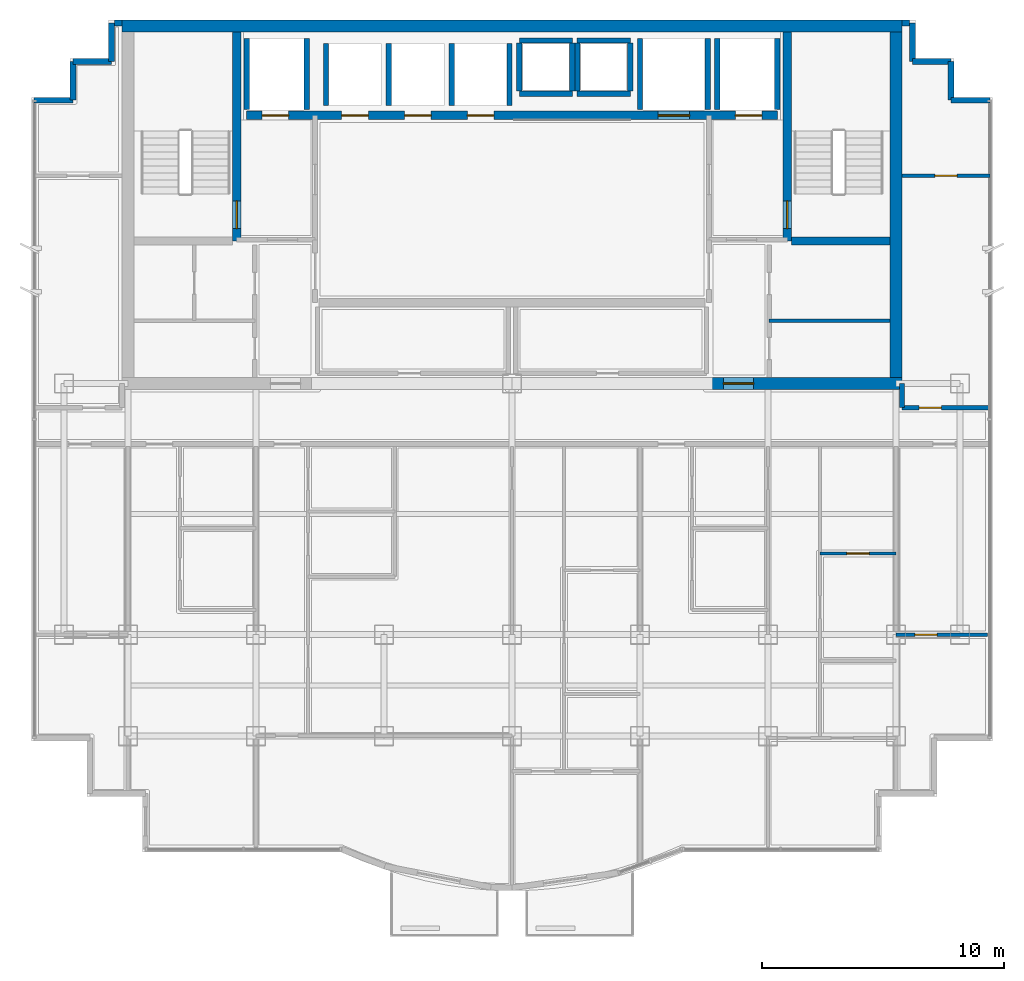
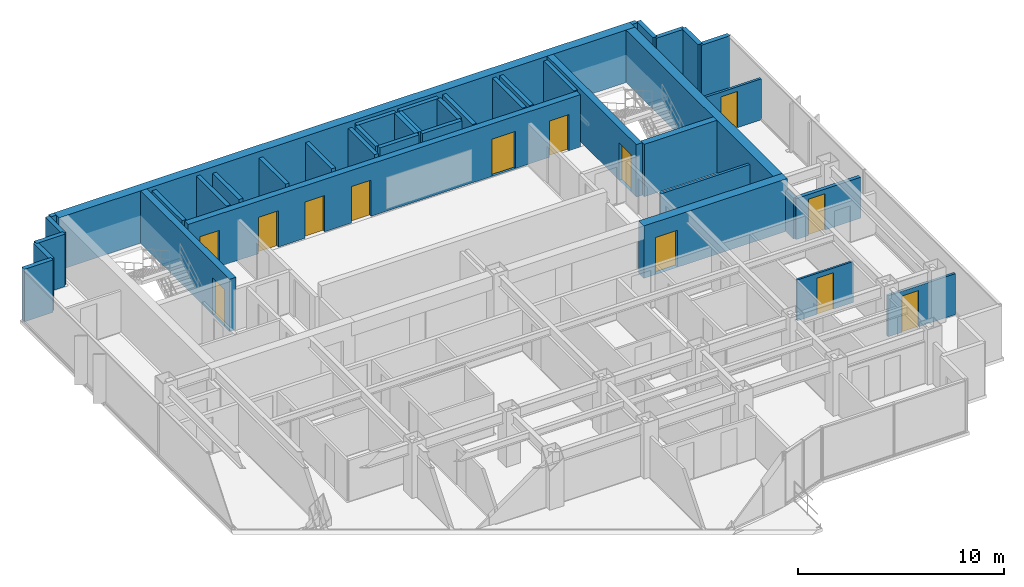
# One storey, part 9 of 12: 41 walls, 13 doors, 13 openings.
"""IFC4 building model written with IfcOpenShell, lengths in metres."""

from ifc_helpers import new_model, si_unit, direction, frame, frame_2d, origin, place, context, subcontext, project, spatial, rectangle, extrude, material, layer, layer_set, type_object, element, fill, save


model = new_model("IFC4")

# Units and contexts
model_context = context("Model", 3, precision=1e-05, world=origin(), true_north=direction((0.0, 1.0)))
body_context = subcontext(model_context, "Body", "Model", "MODEL_VIEW")
ifc_project = project(units=[si_unit("LENGTHUNIT", "METRE"), si_unit("AREAUNIT", "SQUARE_METRE"), si_unit("VOLUMEUNIT", "CUBIC_METRE"), si_unit("PLANEANGLEUNIT", "RADIAN"), si_unit("MASSUNIT", "GRAM", prefix="KILO")], contexts=[model_context])

# Site, building, storey
site_placement = place(None, origin())
site = spatial("IfcSite", under=ifc_project, at=site_placement, CompositionType="ELEMENT")
building_placement = place(site_placement, origin())
building = spatial("IfcBuilding", under=site, at=building_placement, Name="Qianlan Lanfeng Residences", CompositionType="ELEMENT")
storey_placement = place(building_placement, frame((0.0, 0.0, 200.0)))
storey = spatial("IfcBuildingStorey", under=building, at=storey_placement, Name="L54", CompositionType="ELEMENT", Elevation=200.0)

# Wall, opening, door
ifc_material_1 = material(Name="Concrete C49", Category="concrete")
ifc_layer_1 = layer(ifc_material_1, 0.35009765625)
ifc_layer_set_1 = layer_set([ifc_layer_1], Name="Concrete C49")
wall_type_1 = type_object("IfcWallType", Name="CW-RC-350", PredefinedType="SHEAR", material=ifc_layer_set_1)
wall_1_placement = place(storey_placement, frame((15.10009765625, 31.10009765625, 0.0), z_axis=(0.0, 0.0, 1.0), x_axis=(0.0, 1.0, 0.0)))
wall_1 = element("IfcWall", 1, at=wall_1_placement, inside=storey, type_object=wall_type_1, Name="L54 Core Shear Wall ST1E", PredefinedType="SHEAR", context=body_context, shape_type="SweptSolid", body=[
    extrude(rectangle(XDim=8.64990234375, YDim=0.35009765625, at=frame_2d((4.324951171875, 0.0))), origin(), (0.0, 0.0, 1.0), 3.110107421875),
])
opening_1_placement = place(wall_1_placement, frame((0.510009765625, 0.0, 0.0)))
opening_1 = element("IfcOpeningElement", 2, at=opening_1_placement, cuts=wall_1, Name="Opening L54-D07", PredefinedType="OPENING", context=body_context, shape_type="SweptSolid", body=[
    extrude(rectangle(XDim=1.14990234375, YDim=2.199951171875, at=frame_2d((0.574951171875, 1.10009765625))), frame((0.0, 0.18505859375, 0.0), z_axis=(0.0, -1.0, 0.0), x_axis=(1.0, 0.0, 0.0)), (0.0, 0.0, 1.0), 0.3701171875),
])
ifc_material_2 = material(Name="Painted Galvanised Steel Fire Door", Category="steel")
door_type_1 = type_object("IfcDoorType", Name="DT-ST1", OperationType="NOTDEFINED", PredefinedType="DOOR", material=ifc_material_2)
door_1_placement = place(opening_1_placement, frame((1.14990234375, 0.0, 0.0), z_axis=(0.0, 0.0, 1.0), x_axis=(-1.0, 0.0, 0.0)))
door_1 = element("IfcDoor", 3, at=door_1_placement, inside=storey, type_object=door_type_1, Name="L54 Exit Stair ST-1 Door L54-D07 (DT-ST1)", OperationType="SINGLE_SWING_RIGHT", OverallHeight=2.199951171875, OverallWidth=1.14990234375, PredefinedType="DOOR", context=body_context, shape_type="SweptSolid", body=[
    extrude(rectangle(XDim=1.14990234375, YDim=2.199951171875, at=frame_2d((0.574951171875, 1.10009765625))), frame((0.0, 0.02490234375, 0.0), z_axis=(0.0, -1.0, 0.0), x_axis=(1.0, 0.0, 0.0)), (0.0, 0.0, 1.0), 0.050048828125),
])
fill(opening_1, door_1)

wall_2_placement = place(storey_placement, frame((37.89990234375, 31.10009765625, 0.0), z_axis=(0.0, 0.0, 1.0), x_axis=(0.0, 1.0, 0.0)))
wall_2 = element("IfcWall", 4, at=wall_2_placement, inside=storey, type_object=wall_type_1, Name="L54 Core Shear Wall ST2W", PredefinedType="SHEAR", context=body_context, shape_type="SweptSolid", body=[
    extrude(rectangle(XDim=8.64990234375, YDim=0.35009765625, at=frame_2d((4.324951171875, 0.0))), origin(), (0.0, 0.0, 1.0), 3.110107421875),
])
opening_2_placement = place(wall_2_placement, frame((0.510009765625, 0.0, 0.0)))
opening_2 = element("IfcOpeningElement", 5, at=opening_2_placement, cuts=wall_2, Name="Opening L54-D08", PredefinedType="OPENING", context=body_context, shape_type="SweptSolid", body=[
    extrude(rectangle(XDim=1.14990234375, YDim=2.199951171875, at=frame_2d((0.574951171875, 1.10009765625))), frame((0.0, 0.18505859375, 0.0), z_axis=(0.0, -1.0, 0.0), x_axis=(1.0, 0.0, 0.0)), (0.0, 0.0, 1.0), 0.3701171875),
])
door_2_placement = place(opening_2_placement, origin())
door_2 = element("IfcDoor", 6, at=door_2_placement, inside=storey, type_object=door_type_1, Name="L54 Exit Stair ST-2 Door L54-D08 (DT-ST1)", OperationType="SINGLE_SWING_RIGHT", OverallHeight=2.199951171875, OverallWidth=1.14990234375, PredefinedType="DOOR", context=body_context, shape_type="SweptSolid", body=[
    extrude(rectangle(XDim=1.14990234375, YDim=2.199951171875, at=frame_2d((0.574951171875, 1.10009765625))), frame((0.0, 0.02490234375, 0.0), z_axis=(0.0, -1.0, 0.0), x_axis=(1.0, 0.0, 0.0)), (0.0, 0.0, 1.0), 0.050048828125),
])
fill(opening_2, door_2)

# Wall
wall_3_placement = place(storey_placement, frame((38.074951171875, 31.10009765625, 0.0), z_axis=(0.0, 0.0, 1.0), x_axis=(1.0, 0.0, 0.0)))
element("IfcWall", 7, at=wall_3_placement, inside=storey, type_object=wall_type_1, Name="L54 Core Shear Wall ST2S", PredefinedType="SHEAR", context=body_context, shape_type="SweptSolid", body=[
    extrude(rectangle(XDim=4.074951171875, YDim=0.35009765625, at=frame_2d((2.03759765625, 0.0))), origin(), (0.0, 0.0, 1.0), 3.110107421875),
])

# Wall, openings, doors
wall_4_placement = place(storey_placement, frame((15.5, 36.300048828125, 0.0), z_axis=(0.0, 0.0, 1.0), x_axis=(1.0, 0.0, 0.0)))
wall_4 = element("IfcWall", 8, at=wall_4_placement, inside=storey, type_object=wall_type_1, Name="L54 Core Shear Wall LBN", PredefinedType="SHEAR", context=body_context, shape_type="SweptSolid", body=[
    extrude(rectangle(XDim=22.0, YDim=0.35009765625, at=frame_2d((11.0, 0.0))), origin(), (0.0, 0.0, 1.0), 3.110107421875),
])
opening_3_placement = place(wall_4_placement, frame((0.64990234375, 0.0, 0.0)))
opening_3 = element("IfcOpeningElement", 9, at=opening_3_placement, cuts=wall_4, Name="Opening L54-LD-FFL-1", PredefinedType="OPENING", context=body_context, shape_type="SweptSolid", body=[
    extrude(rectangle(XDim=1.10009765625, YDim=2.14990234375, at=frame_2d((0.550048828125, 1.074951171875))), frame((0.0, 0.18505859375, 0.0), z_axis=(0.0, -1.0, 0.0), x_axis=(1.0, 0.0, 0.0)), (0.0, 0.0, 1.0), 0.3701171875),
])
opening_4_placement = place(wall_4_placement, frame((20.25, 0.0, 0.0)))
opening_4 = element("IfcOpeningElement", 10, at=opening_4_placement, cuts=wall_4, Name="Opening L54-LD-FFL-2", PredefinedType="OPENING", context=body_context, shape_type="SweptSolid", body=[
    extrude(rectangle(XDim=1.10009765625, YDim=2.14990234375, at=frame_2d((0.550048828125, 1.074951171875))), frame((0.0, 0.18505859375, 0.0), z_axis=(0.0, -1.0, 0.0), x_axis=(1.0, 0.0, 0.0)), (0.0, 0.0, 1.0), 0.3701171875),
])
opening_5_placement = place(wall_4_placement, frame((17.050048828125, 0.0, 0.0)))
opening_5 = element("IfcOpeningElement", 11, at=opening_5_placement, cuts=wall_4, Name="Opening L54-LD-SVL-1", PredefinedType="OPENING", context=body_context, shape_type="SweptSolid", body=[
    extrude(rectangle(XDim=1.300048828125, YDim=2.199951171875, at=frame_2d((0.64990234375, 1.10009765625))), frame((0.0, 0.18505859375, 0.0), z_axis=(0.0, -1.0, 0.0), x_axis=(1.0, 0.0, 0.0)), (0.0, 0.0, 1.0), 0.3701171875),
])
opening_6_placement = place(wall_4_placement, frame((3.949951171875, 0.0, 0.0)))
opening_6 = element("IfcOpeningElement", 12, at=opening_6_placement, cuts=wall_4, Name="Opening L54-LD-PL-H1", PredefinedType="OPENING", context=body_context, shape_type="SweptSolid", body=[
    extrude(rectangle(XDim=1.10009765625, YDim=2.14990234375, at=frame_2d((0.550048828125, 1.074951171875))), frame((0.0, 0.18505859375, 0.0), z_axis=(0.0, -1.0, 0.0), x_axis=(1.0, 0.0, 0.0)), (0.0, 0.0, 1.0), 0.3701171875),
])
opening_7_placement = place(wall_4_placement, frame((6.550048828125, 0.0, 0.0)))
opening_7 = element("IfcOpeningElement", 13, at=opening_7_placement, cuts=wall_4, Name="Opening L54-LD-PL-H2", PredefinedType="OPENING", context=body_context, shape_type="SweptSolid", body=[
    extrude(rectangle(XDim=1.10009765625, YDim=2.14990234375, at=frame_2d((0.550048828125, 1.074951171875))), frame((0.0, 0.18505859375, 0.0), z_axis=(0.0, -1.0, 0.0), x_axis=(1.0, 0.0, 0.0)), (0.0, 0.0, 1.0), 0.3701171875),
])
opening_8_placement = place(wall_4_placement, frame((9.14990234375, 0.0, 0.0)))
opening_8 = element("IfcOpeningElement", 14, at=opening_8_placement, cuts=wall_4, Name="Opening L54-LD-PL-H3", PredefinedType="OPENING", context=body_context, shape_type="SweptSolid", body=[
    extrude(rectangle(XDim=1.10009765625, YDim=2.14990234375, at=frame_2d((0.550048828125, 1.074951171875))), frame((0.0, 0.18505859375, 0.0), z_axis=(0.0, -1.0, 0.0), x_axis=(1.0, 0.0, 0.0)), (0.0, 0.0, 1.0), 0.3701171875),
])
ifc_material_3 = material(Name="Brushed Stainless Steel Sliding Lift Door", Category="steel")
door_type_2 = type_object("IfcDoorType", Name="LD-01", OperationType="NOTDEFINED", PredefinedType="DOOR", material=ifc_material_3)
door_3_placement = place(opening_3_placement, frame((1.10009765625, 0.0, 0.0), z_axis=(0.0, 0.0, 1.0), x_axis=(-1.0, 0.0, 0.0)))
door_3 = element("IfcDoor", 15, at=door_3_placement, inside=storey, type_object=door_type_2, Name="L54 Elevator FFL-1 Sliding Landing Door", OperationType="DOUBLE_DOOR_SLIDING", OverallHeight=2.14990234375, OverallWidth=1.10009765625, PredefinedType="DOOR", context=body_context, shape_type="SweptSolid", body=[
    extrude(rectangle(XDim=1.10009765625, YDim=2.14990234375, at=frame_2d((0.550048828125, 1.074951171875))), frame((0.0, 0.02490234375, 0.0), z_axis=(0.0, -1.0, 0.0), x_axis=(1.0, 0.0, 0.0)), (0.0, 0.0, 1.0), 0.050048828125),
])
fill(opening_3, door_3)
door_4_placement = place(opening_4_placement, frame((1.10009765625, 0.0, 0.0), z_axis=(0.0, 0.0, 1.0), x_axis=(-1.0, 0.0, 0.0)))
door_4 = element("IfcDoor", 16, at=door_4_placement, inside=storey, type_object=door_type_2, Name="L54 Elevator FFL-2 Sliding Landing Door", OperationType="DOUBLE_DOOR_SLIDING", OverallHeight=2.14990234375, OverallWidth=1.10009765625, PredefinedType="DOOR", context=body_context, shape_type="SweptSolid", body=[
    extrude(rectangle(XDim=1.10009765625, YDim=2.14990234375, at=frame_2d((0.550048828125, 1.074951171875))), frame((0.0, 0.02490234375, 0.0), z_axis=(0.0, -1.0, 0.0), x_axis=(1.0, 0.0, 0.0)), (0.0, 0.0, 1.0), 0.050048828125),
])
fill(opening_4, door_4)
door_5_placement = place(opening_6_placement, frame((1.10009765625, 0.0, 0.0), z_axis=(0.0, 0.0, 1.0), x_axis=(-1.0, 0.0, 0.0)))
door_5 = element("IfcDoor", 17, at=door_5_placement, inside=storey, type_object=door_type_2, Name="L54 Elevator PL-H1 Sliding Landing Door", OperationType="DOUBLE_DOOR_SLIDING", OverallHeight=2.14990234375, OverallWidth=1.10009765625, PredefinedType="DOOR", context=body_context, shape_type="SweptSolid", body=[
    extrude(rectangle(XDim=1.10009765625, YDim=2.14990234375, at=frame_2d((0.550048828125, 1.074951171875))), frame((0.0, 0.02490234375, 0.0), z_axis=(0.0, -1.0, 0.0), x_axis=(1.0, 0.0, 0.0)), (0.0, 0.0, 1.0), 0.050048828125),
])
fill(opening_6, door_5)
door_6_placement = place(opening_7_placement, frame((1.10009765625, 0.0, 0.0), z_axis=(0.0, 0.0, 1.0), x_axis=(-1.0, 0.0, 0.0)))
door_6 = element("IfcDoor", 18, at=door_6_placement, inside=storey, type_object=door_type_2, Name="L54 Elevator PL-H2 Sliding Landing Door", OperationType="DOUBLE_DOOR_SLIDING", OverallHeight=2.14990234375, OverallWidth=1.10009765625, PredefinedType="DOOR", context=body_context, shape_type="SweptSolid", body=[
    extrude(rectangle(XDim=1.10009765625, YDim=2.14990234375, at=frame_2d((0.550048828125, 1.074951171875))), frame((0.0, 0.02490234375, 0.0), z_axis=(0.0, -1.0, 0.0), x_axis=(1.0, 0.0, 0.0)), (0.0, 0.0, 1.0), 0.050048828125),
])
fill(opening_7, door_6)
door_7_placement = place(opening_8_placement, frame((1.10009765625, 0.0, 0.0), z_axis=(0.0, 0.0, 1.0), x_axis=(-1.0, 0.0, 0.0)))
door_7 = element("IfcDoor", 19, at=door_7_placement, inside=storey, type_object=door_type_2, Name="L54 Elevator PL-H3 Sliding Landing Door", OperationType="DOUBLE_DOOR_SLIDING", OverallHeight=2.14990234375, OverallWidth=1.10009765625, PredefinedType="DOOR", context=body_context, shape_type="SweptSolid", body=[
    extrude(rectangle(XDim=1.10009765625, YDim=2.14990234375, at=frame_2d((0.550048828125, 1.074951171875))), frame((0.0, 0.02490234375, 0.0), z_axis=(0.0, -1.0, 0.0), x_axis=(1.0, 0.0, 0.0)), (0.0, 0.0, 1.0), 0.050048828125),
])
fill(opening_8, door_7)
door_type_3 = type_object("IfcDoorType", Name="LD-02", OperationType="NOTDEFINED", PredefinedType="DOOR", material=ifc_material_3)
door_8_placement = place(opening_5_placement, frame((1.300048828125, 0.0, 0.0), z_axis=(0.0, 0.0, 1.0), x_axis=(-1.0, 0.0, 0.0)))
door_8 = element("IfcDoor", 20, at=door_8_placement, inside=storey, type_object=door_type_3, Name="L54 Elevator SVL-1 Sliding Landing Door", OperationType="DOUBLE_DOOR_SLIDING", OverallHeight=2.199951171875, OverallWidth=1.300048828125, PredefinedType="DOOR", context=body_context, shape_type="SweptSolid", body=[
    extrude(rectangle(XDim=1.300048828125, YDim=2.199951171875, at=frame_2d((0.64990234375, 1.10009765625))), frame((0.0, 0.02490234375, 0.0), z_axis=(0.0, -1.0, 0.0), x_axis=(1.0, 0.0, 0.0)), (0.0, 0.0, 1.0), 0.050048828125),
])
fill(opening_5, door_8)

# Walls
ifc_material_4 = material(Name="Concrete C70", Category="concrete")
ifc_layer_2 = layer(ifc_material_4, 0.5)
ifc_layer_set_2 = layer_set([ifc_layer_2], Name="Concrete C70")
wall_type_2 = type_object("IfcWallType", Name="CW-RC-500", PredefinedType="SHEAR", material=ifc_layer_set_2)
wall_5_placement = place(storey_placement, frame((10.35009765625, 40.0, 0.0), z_axis=(0.0, 0.0, 1.0), x_axis=(1.0, 0.0, 0.0)))
element("IfcWall", 21, at=wall_5_placement, inside=storey, type_object=wall_type_2, Name="L54 Core Shear Wall N", PredefinedType="SHEAR", context=body_context, shape_type="SweptSolid", body=[
    extrude(rectangle(XDim=32.2998046875, YDim=0.5, at=frame_2d((16.14990234375, 0.0))), origin(), (0.0, 0.0, 1.0), 3.110107421875),
])
wall_6_placement = place(storey_placement, frame((42.39990234375, 25.449951171875, 0.0), z_axis=(0.0, 0.0, 1.0), x_axis=(0.0, 1.0, 0.0)))
element("IfcWall", 22, at=wall_6_placement, inside=storey, type_object=wall_type_2, Name="L54 Core Shear Wall E", PredefinedType="SHEAR", context=body_context, shape_type="SweptSolid", body=[
    extrude(rectangle(XDim=14.300048828125, YDim=0.5, at=frame_2d((7.14990234375, 0.0))), origin(), (0.0, 0.0, 1.0), 3.110107421875),
])

# Wall, opening, door
wall_7_placement = place(storey_placement, frame((34.60009765625, 25.199951171875, 0.0), z_axis=(0.0, 0.0, 1.0), x_axis=(1.0, 0.0, 0.0)))
wall_7 = element("IfcWall", 23, at=wall_7_placement, inside=storey, type_object=wall_type_2, Name="L54 Core Shear Wall SE", PredefinedType="SHEAR", context=body_context, shape_type="SweptSolid", body=[
    extrude(rectangle(XDim=8.0498046875, YDim=0.5, at=frame_2d((4.02490234375, 0.0))), origin(), (0.0, 0.0, 1.0), 3.110107421875),
])
opening_9_placement = place(wall_7_placement, frame((0.64990234375, 0.0, 0.0)))
opening_9 = element("IfcOpeningElement", 24, at=opening_9_placement, cuts=wall_7, Name="Opening L54-D02", PredefinedType="OPENING", context=body_context, shape_type="SweptSolid", body=[
    extrude(rectangle(XDim=1.25, YDim=2.199951171875, at=frame_2d((0.625, 1.10009765625))), frame((0.0, 0.260009765625, 0.0), z_axis=(0.0, -1.0, 0.0), x_axis=(1.0, 0.0, 0.0)), (0.0, 0.0, 1.0), 0.52001953125),
])
door_type_4 = type_object("IfcDoorType", Name="DT-FFL", OperationType="NOTDEFINED", PredefinedType="DOOR", material=ifc_material_2)
door_9_placement = place(opening_9_placement, frame((1.25, 0.0, 0.0), z_axis=(0.0, 0.0, 1.0), x_axis=(-1.0, 0.0, 0.0)))
door_9 = element("IfcDoor", 25, at=door_9_placement, inside=storey, type_object=door_type_4, Name="L54 East Core Lobby Smoke Door L54-D02 (DT-FFL)", OperationType="SINGLE_SWING_LEFT", OverallHeight=2.199951171875, OverallWidth=1.25, PredefinedType="DOOR", context=body_context, shape_type="SweptSolid", body=[
    extrude(rectangle(XDim=1.25, YDim=2.199951171875, at=frame_2d((0.625, 1.10009765625))), frame((0.0, 0.02490234375, 0.0), z_axis=(0.0, -1.0, 0.0), x_axis=(1.0, 0.0, 0.0)), (0.0, 0.0, 1.0), 0.050048828125),
])
fill(opening_9, door_9)

# Walls
ifc_material_5 = material(Name="Concrete C42", Category="concrete")
ifc_layer_3 = layer(ifc_material_5, 0.239990234375)
ifc_layer_set_3 = layer_set([ifc_layer_3], Name="Concrete C42")
wall_type_3 = type_object("IfcWallType", Name="EW-240", PredefinedType="SOLIDWALL", material=ifc_layer_set_3)
for number, where, z_axis, x_axis, name in (
    (26, (46.280029296875, 36.929931640625, 0.0), (0.0, 0.0, 1.0), (-1.0, 0.0, 0.0), "L54 Exterior Facade Spandrel Wall 13"),
    (27, (44.679931640625, 36.929931640625, 0.0), (0.0, 0.0, 1.0), (0.0, 1.0, 0.0), "L54 Exterior Facade Spandrel Wall 14"),
):
    element("IfcWall", number, at=place(storey_placement, frame(where, z_axis=z_axis, x_axis=x_axis)), inside=storey, type_object=wall_type_3, Name=name, PredefinedType="SOLIDWALL", context=body_context, shape_type="SweptSolid", body=[
        extrude(rectangle(XDim=1.60009765625, YDim=0.239990234375, at=frame_2d((0.800048828125, 0.0))), origin(), (0.0, 0.0, 1.0), 3.110107421875),
    ])
for number, where, z_axis, x_axis, name in (
    (28, (44.679931640625, 38.530029296875, 0.0), (0.0, 0.0, 1.0), (-1.0, 0.0, 0.0), "L54 Exterior Facade Spandrel Wall 15"),
    (29, (43.080078125, 38.530029296875, 0.0), (0.0, 0.0, 1.0), (0.0, 1.0, 0.0), "L54 Exterior Facade Spandrel Wall 16"),
):
    element("IfcWall", number, at=place(storey_placement, frame(where, z_axis=z_axis, x_axis=x_axis)), inside=storey, type_object=wall_type_3, Name=name, PredefinedType="SOLIDWALL", context=body_context, shape_type="SweptSolid", body=[
        extrude(rectangle(XDim=1.599853515625, YDim=0.239990234375, at=frame_2d((0.7998046875, 0.0))), origin(), (0.0, 0.0, 1.0), 3.110107421875),
    ])
for number, where, z_axis, x_axis, name in (
    (30, (42.949951171875, 40.1298828125, 0.0), (0.0, 0.0, 1.0), (-1.0, 0.0, 0.0), "L54 North Wing Exterior Wall E"),
    (31, (10.35009765625, 40.1298828125, 0.0), (0.0, 0.0, 1.0), (-1.0, 0.0, 0.0), "L54 North Wing Exterior Wall W"),
):
    element("IfcWall", number, at=place(storey_placement, frame(where, z_axis=z_axis, x_axis=x_axis)), inside=storey, type_object=wall_type_3, Name=name, PredefinedType="SOLIDWALL", context=body_context, shape_type="SweptSolid", body=[
        extrude(rectangle(XDim=0.300048828125, YDim=0.239990234375, at=frame_2d((0.14990234375, 0.0))), origin(), (0.0, 0.0, 1.0), 3.110107421875),
    ])
for number, where, z_axis, x_axis, name in (
    (32, (9.919921875, 40.1298828125, 0.0), (0.0, 0.0, 1.0), (0.0, -1.0, 0.0), "L54 Exterior Facade Spandrel Wall 19"),
    (33, (9.919921875, 38.530029296875, 0.0), (0.0, 0.0, 1.0), (-1.0, 0.0, 0.0), "L54 Exterior Facade Spandrel Wall 20"),
):
    element("IfcWall", number, at=place(storey_placement, frame(where, z_axis=z_axis, x_axis=x_axis)), inside=storey, type_object=wall_type_3, Name=name, PredefinedType="SOLIDWALL", context=body_context, shape_type="SweptSolid", body=[
        extrude(rectangle(XDim=1.599853515625, YDim=0.239990234375, at=frame_2d((0.7998046875, 0.0))), origin(), (0.0, 0.0, 1.0), 3.110107421875),
    ])
for number, where, z_axis, x_axis, name in (
    (34, (8.320068359375, 38.530029296875, 0.0), (0.0, 0.0, 1.0), (0.0, -1.0, 0.0), "L54 Exterior Facade Spandrel Wall 21"),
    (35, (8.320068359375, 36.929931640625, 0.0), (0.0, 0.0, 1.0), (-1.0, 0.0, 0.0), "L54 Exterior Facade Spandrel Wall 22"),
):
    element("IfcWall", number, at=place(storey_placement, frame(where, z_axis=z_axis, x_axis=x_axis)), inside=storey, type_object=wall_type_3, Name=name, PredefinedType="SOLIDWALL", context=body_context, shape_type="SweptSolid", body=[
        extrude(rectangle(XDim=1.60009765625, YDim=0.239990234375, at=frame_2d((0.800048828125, 0.0))), origin(), (0.0, 0.0, 1.0), 3.110107421875),
    ])

# Wall, opening, door
ifc_material_6 = material(Name="Demountable Acoustic Framing Partition 110 mm")
ifc_layer_4 = layer(ifc_material_6, 0.110107421875)
ifc_layer_set_4 = layer_set([ifc_layer_4], Name="Demountable Acoustic Framing Partition 110 mm")
wall_type_4 = type_object("IfcWallType", Name="PW-110", PredefinedType="MOVABLE", material=ifc_layer_set_4)
wall_8_placement = place(storey_placement, frame((39.25, 18.159912109375, 0.0), z_axis=(0.0, 0.0, 1.0), x_axis=(1.0, 0.0, 0.0)))
wall_8 = element("IfcWall", 36, at=wall_8_placement, inside=storey, type_object=wall_type_4, Name="L54 U03 Wardrobe Split", PredefinedType="MOVABLE", context=body_context, shape_type="SweptSolid", body=[
    extrude(rectangle(XDim=3.14990234375, YDim=0.110107421875, at=frame_2d((1.574951171875, 0.0))), origin(), (0.0, 0.0, 1.0), 2.429931640625),
])
opening_10_placement = place(wall_8_placement, frame((1.114990234375, 0.0, 0.0)))
opening_10 = element("IfcOpeningElement", 37, at=opening_10_placement, cuts=wall_8, Name="Opening L54-D38", PredefinedType="OPENING", context=body_context, shape_type="SweptSolid", body=[
    extrude(rectangle(XDim=0.919921875, YDim=2.14990234375, at=frame_2d((0.4599609375, 1.074951171875))), frame((0.0, 0.06494140625, 0.0), z_axis=(0.0, -1.0, 0.0), x_axis=(1.0, 0.0, 0.0)), (0.0, 0.0, 1.0), 0.130126953125),
])
ifc_material_7 = material(Name="Glazed Timber Kitchen/Study Door", Category="wood")
door_type_5 = type_object("IfcDoorType", Name="DT-INT", OperationType="NOTDEFINED", PredefinedType="DOOR", material=ifc_material_7)
door_10_placement = place(opening_10_placement, origin())
door_10 = element("IfcDoor", 38, at=door_10_placement, inside=storey, type_object=door_type_5, Name="L54 U03 Dressing Inner Door L54-D38 (DT-INT)", OperationType="SINGLE_SWING_RIGHT", OverallHeight=2.14990234375, OverallWidth=0.919921875, PredefinedType="DOOR", context=body_context, shape_type="SweptSolid", body=[
    extrude(rectangle(XDim=0.919921875, YDim=2.14990234375, at=frame_2d((0.4599609375, 1.074951171875))), frame((0.0, 0.02490234375, 0.0), z_axis=(0.0, -1.0, 0.0), x_axis=(1.0, 0.0, 0.0)), (0.0, 0.0, 1.0), 0.050048828125),
])
fill(opening_10, door_10)

ifc_material_8 = material(Name="Moisture-Resistant Gypsum Partition 135 mm")
ifc_layer_5 = layer(ifc_material_8, 0.135009765625)
ifc_layer_set_5 = layer_set([ifc_layer_5], Name="Moisture-Resistant Gypsum Partition 135 mm")
wall_type_5 = type_object("IfcWallType", Name="PW-135", PredefinedType="PARTITIONING", material=ifc_layer_set_5)
wall_9_placement = place(storey_placement, frame((42.39990234375, 14.800048828125, 0.0), z_axis=(0.0, 0.0, 1.0), x_axis=(1.0, 0.0, 0.0)))
wall_9 = element("IfcWall", 39, at=wall_9_placement, inside=storey, type_object=wall_type_5, Name="L54 SEP Mid Partition", PredefinedType="PARTITIONING", context=body_context, shape_type="SweptSolid", body=[
    extrude(rectangle(XDim=3.780029296875, YDim=0.135009765625, at=frame_2d((1.89013671875, 0.0))), origin(), (0.0, 0.0, 1.0), 2.429931640625),
])
opening_11_placement = place(wall_9_placement, frame((0.780029296875, 0.0, 0.0)))
opening_11 = element("IfcOpeningElement", 40, at=opening_11_placement, cuts=wall_9, Name="Opening L54-D41", PredefinedType="OPENING", context=body_context, shape_type="SweptSolid", body=[
    extrude(rectangle(XDim=0.919921875, YDim=2.14990234375, at=frame_2d((0.4599609375, 1.074951171875))), frame((0.0, 0.07763671875, 0.0), z_axis=(0.0, -1.0, 0.0), x_axis=(1.0, 0.0, 0.0)), (0.0, 0.0, 1.0), 0.155029296875),
])
door_11_placement = place(opening_11_placement, origin())
door_11 = element("IfcDoor", 41, at=door_11_placement, inside=storey, type_object=door_type_5, Name="L54 SEP Inner Door L54-D41 (DT-INT)", OperationType="SINGLE_SWING_RIGHT", OverallHeight=2.14990234375, OverallWidth=0.919921875, PredefinedType="DOOR", context=body_context, shape_type="SweptSolid", body=[
    extrude(rectangle(XDim=0.919921875, YDim=2.14990234375, at=frame_2d((0.4599609375, 1.074951171875))), frame((0.0, 0.02490234375, 0.0), z_axis=(0.0, -1.0, 0.0), x_axis=(1.0, 0.0, 0.0)), (0.0, 0.0, 1.0), 0.050048828125),
])
fill(opening_11, door_11)

wall_10_placement = place(storey_placement, frame((42.64990234375, 33.800048828125, 0.0), z_axis=(0.0, 0.0, 1.0), x_axis=(1.0, 0.0, 0.0)))
wall_10 = element("IfcWall", 42, at=wall_10_placement, inside=storey, type_object=wall_type_5, Name="L54 EW North Wing Wall", PredefinedType="PARTITIONING", context=body_context, shape_type="SweptSolid", body=[
    extrude(rectangle(XDim=3.630126953125, YDim=0.135009765625, at=frame_2d((1.81494140625, 0.0))), origin(), (0.0, 0.0, 1.0), 2.429931640625),
])
opening_12_placement = place(wall_10_placement, frame((1.35498046875, 0.0, 0.0)))
opening_12 = element("IfcOpeningElement", 43, at=opening_12_placement, cuts=wall_10, Name="Opening L54-D45", PredefinedType="OPENING", context=body_context, shape_type="SweptSolid", body=[
    extrude(rectangle(XDim=0.919921875, YDim=2.14990234375, at=frame_2d((0.4599609375, 1.074951171875))), frame((0.0, 0.07763671875, 0.0), z_axis=(0.0, -1.0, 0.0), x_axis=(1.0, 0.0, 0.0)), (0.0, 0.0, 1.0), 0.155029296875),
])
door_12_placement = place(opening_12_placement, origin())
door_12 = element("IfcDoor", 44, at=door_12_placement, inside=storey, type_object=door_type_5, Name="L54 EW Inner Salon Door L54-D45 (DT-INT)", OperationType="SINGLE_SWING_LEFT", OverallHeight=2.14990234375, OverallWidth=0.919921875, PredefinedType="DOOR", context=body_context, shape_type="SweptSolid", body=[
    extrude(rectangle(XDim=0.919921875, YDim=2.14990234375, at=frame_2d((0.4599609375, 1.074951171875))), frame((0.0, 0.02490234375, 0.0), z_axis=(0.0, -1.0, 0.0), x_axis=(1.0, 0.0, 0.0)), (0.0, 0.0, 1.0), 0.050048828125),
])
fill(opening_12, door_12)

# Wall
ifc_material_9 = material(Name="Acoustic Drywall Partition 150 mm")
ifc_layer_6 = layer(ifc_material_9, 0.14990234375)
ifc_layer_set_6 = layer_set([ifc_layer_6], Name="Acoustic Drywall Partition 150 mm")
wall_type_6 = type_object("IfcWallType", Name="PW-150", PredefinedType="PARTITIONING", material=ifc_layer_set_6)
wall_11_placement = place(storey_placement, frame((37.14990234375, 27.800048828125, 0.0), z_axis=(0.0, 0.0, 1.0), x_axis=(1.0, 0.0, 0.0)))
element("IfcWall", 45, at=wall_11_placement, inside=storey, type_object=wall_type_6, Name="L54 Core East H4", PredefinedType="PARTITIONING", context=body_context, shape_type="SweptSolid", body=[
    extrude(rectangle(XDim=5.0, YDim=0.14990234375, at=frame_2d((2.5, 0.0))), origin(), (0.0, 0.0, 1.0), 2.429931640625),
])

# Wall, opening, door
ifc_material_10 = material(Name="Autoclaved Aerated Concrete Blockwork 200 mm", Category="masonry")
ifc_layer_7 = layer(ifc_material_10, 0.199951171875)
ifc_layer_set_7 = layer_set([ifc_layer_7], Name="Autoclaved Aerated Concrete Blockwork 200 mm")
wall_type_7 = type_object("IfcWallType", Name="PW-200", PredefinedType="PARTITIONING", material=ifc_layer_set_7)
wall_12_placement = place(storey_placement, frame((42.64990234375, 24.199951171875, 0.0), z_axis=(0.0, 0.0, 1.0), x_axis=(1.0, 0.0, 0.0)))
wall_12 = element("IfcWall", 46, at=wall_12_placement, inside=storey, type_object=wall_type_7, Name="L54 Corridor NE Wall", PredefinedType="PARTITIONING", context=body_context, shape_type="SweptSolid", body=[
    extrude(rectangle(XDim=3.630126953125, YDim=0.199951171875, at=frame_2d((1.81494140625, 0.0))), origin(), (0.0, 0.0, 1.0), 2.429931640625),
])
opening_13_placement = place(wall_12_placement, frame((0.705078125, 0.0, 0.0)))
opening_13 = element("IfcOpeningElement", 47, at=opening_13_placement, cuts=wall_12, Name="Opening L54-D46", PredefinedType="OPENING", context=body_context, shape_type="SweptSolid", body=[
    extrude(rectangle(XDim=0.919921875, YDim=2.14990234375, at=frame_2d((0.4599609375, 1.074951171875))), frame((0.0, 0.10986328125, 0.0), z_axis=(0.0, -1.0, 0.0), x_axis=(1.0, 0.0, 0.0)), (0.0, 0.0, 1.0), 0.219970703125),
])
door_13_placement = place(opening_13_placement, frame((0.919921875, 0.0, 0.0), z_axis=(0.0, 0.0, 1.0), x_axis=(-1.0, 0.0, 0.0)))
door_13 = element("IfcDoor", 48, at=door_13_placement, inside=storey, type_object=door_type_5, Name="L54 EW Amenity Salon Door L54-D46 (DT-INT)", OperationType="SINGLE_SWING_RIGHT", OverallHeight=2.14990234375, OverallWidth=0.919921875, PredefinedType="DOOR", context=body_context, shape_type="SweptSolid", body=[
    extrude(rectangle(XDim=0.919921875, YDim=2.14990234375, at=frame_2d((0.4599609375, 1.074951171875))), frame((0.0, 0.02490234375, 0.0), z_axis=(0.0, -1.0, 0.0), x_axis=(1.0, 0.0, 0.0)), (0.0, 0.0, 1.0), 0.050048828125),
])
fill(opening_13, door_13)

# Walls
wall_13_placement = place(storey_placement, frame((42.64990234375, 24.199951171875, 0.0), z_axis=(0.0, 0.0, 1.0), x_axis=(0.0, 1.0, 0.0)))
element("IfcWall", 49, at=wall_13_placement, inside=storey, type_object=wall_type_7, Name="L54 NE Wing Core Return Wall", PredefinedType="PARTITIONING", context=body_context, shape_type="SweptSolid", body=[
    extrude(rectangle(XDim=1.0, YDim=0.199951171875, at=frame_2d((0.5, 0.0))), origin(), (0.0, 0.0, 1.0), 2.429931640625),
])
ifc_layer_8 = layer(ifc_material_1, 0.219970703125)
ifc_layer_set_8 = layer_set([ifc_layer_8], Name="Concrete C49")
wall_type_8 = type_object("IfcWallType", Name="SHW-220", PredefinedType="SOLIDWALL", material=ifc_layer_set_8)
for number, where, z_axis, x_axis, name in (
    (50, (15.52001953125, 36.550048828125, 0.0), (0.0, 0.0, 1.0), (0.0, 1.0, 0.0), "L54 Lift FFL-1 Shaft Wall W"),
    (51, (18.0, 36.550048828125, 0.0), (0.0, 0.0, 1.0), (0.0, 1.0, 0.0), "L54 Lift FFL-1 Shaft Wall E"),
    (52, (35.0, 36.550048828125, 0.0), (0.0, 0.0, 1.0), (0.0, 1.0, 0.0), "L54 Lift FFL-2 Shaft Wall W"),
    (53, (37.47998046875, 36.550048828125, 0.0), (0.0, 0.0, 1.0), (0.0, 1.0, 0.0), "L54 Lift FFL-2 Shaft Wall E"),
    (54, (31.800048828125, 36.550048828125, 0.0), (0.0, 0.0, 1.0), (0.0, 1.0, 0.0), "L54 Lift SVL-1 Shaft Wall W"),
    (55, (34.60009765625, 36.550048828125, 0.0), (0.0, 0.0, 1.0), (0.0, 1.0, 0.0), "L54 Lift SVL-1 Shaft Wall E"),
):
    element("IfcWall", number, at=place(storey_placement, frame(where, z_axis=z_axis, x_axis=x_axis)), inside=storey, type_object=wall_type_8, Name=name, PredefinedType="SOLIDWALL", context=body_context, shape_type="SweptSolid", body=[
        extrude(rectangle(XDim=2.929931640625, YDim=0.219970703125, at=frame_2d((1.46484375, 0.0))), origin(), (0.0, 0.0, 1.0), 3.110107421875),
    ])
for number, where, z_axis, x_axis, name in (
    (56, (18.800048828125, 36.719970703125, 0.0), (0.0, 0.0, 1.0), (0.0, 1.0, 0.0), "L54 Lift PL-H1 Shaft Wall W"),
    (57, (21.39990234375, 36.719970703125, 0.0), (0.0, 0.0, 1.0), (0.0, 1.0, 0.0), "L54 Lift PL-H2 Shaft Wall W"),
    (58, (24.0, 36.719970703125, 0.0), (0.0, 0.0, 1.0), (0.0, 1.0, 0.0), "L54 Lift PL-H3 Shaft Wall W"),
    (59, (26.39990234375, 36.719970703125, 0.0), (0.0, 0.0, 1.0), (0.0, 1.0, 0.0), "L54 Lift PL-H3 Shaft Wall E"),
):
    element("IfcWall", number, at=place(storey_placement, frame(where, z_axis=z_axis, x_axis=x_axis)), inside=storey, type_object=wall_type_8, Name=name, PredefinedType="SOLIDWALL", context=body_context, shape_type="SweptSolid", body=[
        extrude(rectangle(XDim=2.56005859375, YDim=0.219970703125, at=frame_2d((1.280029296875, 0.0))), origin(), (0.0, 0.0, 1.0), 3.110107421875),
    ])
for number, where, z_axis, x_axis, name in (
    (60, (26.800048828125, 37.31005859375, 0.0), (0.0, 0.0, 1.0), (0.0, 1.0, 0.0), "L54 MEP Riser MEP-R1 Shaft Wall W"),
    (61, (29.0, 37.31005859375, 0.0), (0.0, 0.0, 1.0), (0.0, 1.0, 0.0), "L54 MEP Riser MEP-R1 Shaft Wall E"),
):
    element("IfcWall", number, at=place(storey_placement, frame(where, z_axis=z_axis, x_axis=x_axis)), inside=storey, type_object=wall_type_8, Name=name, PredefinedType="SOLIDWALL", context=body_context, shape_type="SweptSolid", body=[
        extrude(rectangle(XDim=1.97998046875, YDim=0.219970703125, at=frame_2d((0.989990234375, 0.0))), origin(), (0.0, 0.0, 1.0), 3.110107421875),
    ])
for number, where, z_axis, x_axis, name in (
    (62, (26.800048828125, 39.39990234375, 0.0), (0.0, 0.0, 1.0), (1.0, 0.0, 0.0), "L54 MEP Riser MEP-R1 Shaft Wall N"),
    (63, (26.800048828125, 37.199951171875, 0.0), (0.0, 0.0, 1.0), (1.0, 0.0, 0.0), "L54 MEP Riser MEP-R1 Shaft Wall S"),
):
    element("IfcWall", number, at=place(storey_placement, frame(where, z_axis=z_axis, x_axis=x_axis)), inside=storey, type_object=wall_type_8, Name=name, PredefinedType="SOLIDWALL", context=body_context, shape_type="SweptSolid", body=[
        extrude(rectangle(XDim=2.199951171875, YDim=0.219970703125, at=frame_2d((1.10009765625, 0.0))), origin(), (0.0, 0.0, 1.0), 3.110107421875),
    ])
for number, where, z_axis, x_axis, name in (
    (64, (29.199951171875, 37.31005859375, 0.0), (0.0, 0.0, 1.0), (0.0, 1.0, 0.0), "L54 MEP Riser MEP-R2 Shaft Wall W"),
    (65, (31.39990234375, 37.31005859375, 0.0), (0.0, 0.0, 1.0), (0.0, 1.0, 0.0), "L54 MEP Riser MEP-R2 Shaft Wall E"),
):
    element("IfcWall", number, at=place(storey_placement, frame(where, z_axis=z_axis, x_axis=x_axis)), inside=storey, type_object=wall_type_8, Name=name, PredefinedType="SOLIDWALL", context=body_context, shape_type="SweptSolid", body=[
        extrude(rectangle(XDim=1.97998046875, YDim=0.219970703125, at=frame_2d((0.989990234375, 0.0))), origin(), (0.0, 0.0, 1.0), 3.110107421875),
    ])
for number, where, z_axis, x_axis, name in (
    (66, (29.199951171875, 39.39990234375, 0.0), (0.0, 0.0, 1.0), (1.0, 0.0, 0.0), "L54 MEP Riser MEP-R2 Shaft Wall N"),
    (67, (29.199951171875, 37.199951171875, 0.0), (0.0, 0.0, 1.0), (1.0, 0.0, 0.0), "L54 MEP Riser MEP-R2 Shaft Wall S"),
):
    element("IfcWall", number, at=place(storey_placement, frame(where, z_axis=z_axis, x_axis=x_axis)), inside=storey, type_object=wall_type_8, Name=name, PredefinedType="SOLIDWALL", context=body_context, shape_type="SweptSolid", body=[
        extrude(rectangle(XDim=2.199951171875, YDim=0.219970703125, at=frame_2d((1.10009765625, 0.0))), origin(), (0.0, 0.0, 1.0), 3.110107421875),
    ])

save(model, "model.ifc")
